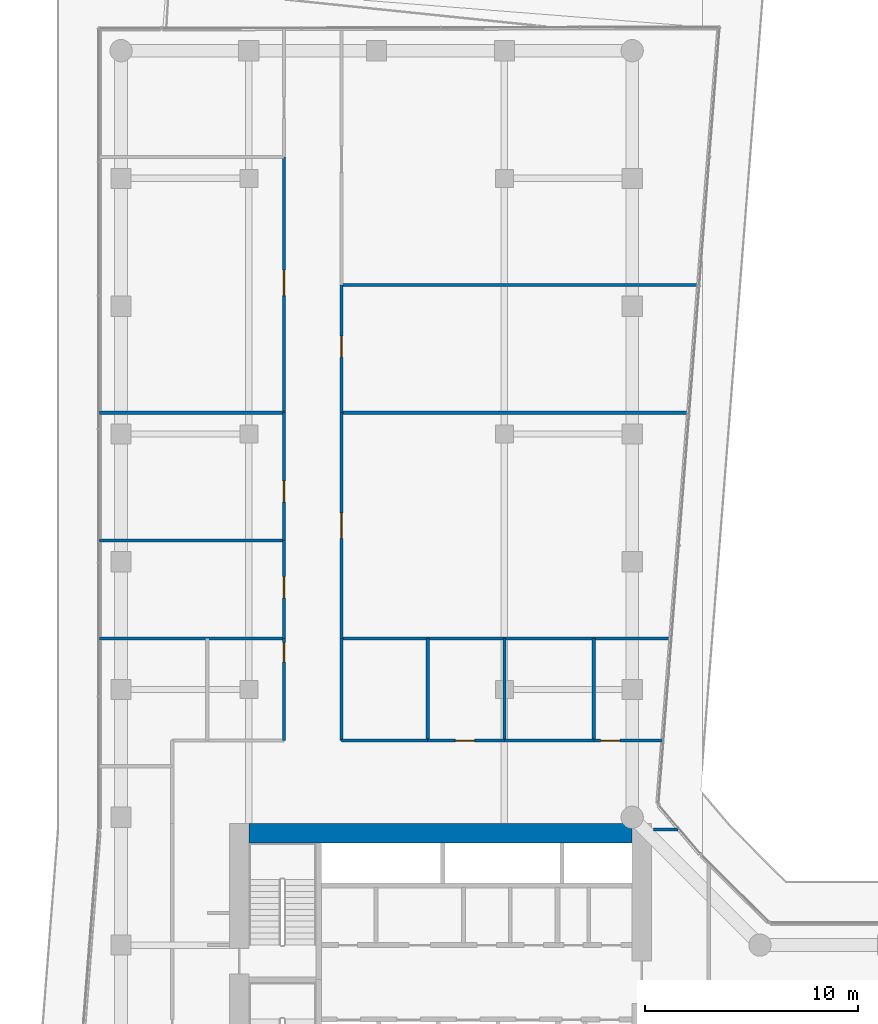
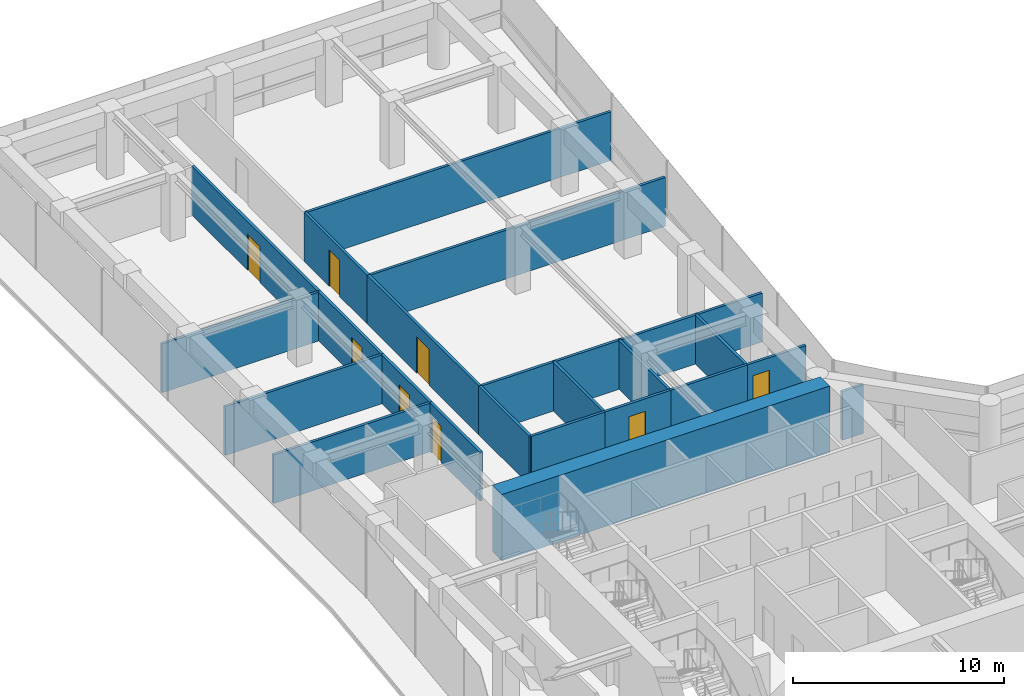
# One storey, part 25 of 29: 22 walls, 8 doors, 8 openings.
"""IFC4 building model written with IfcOpenShell, lengths in metres."""

from ifc_helpers import new_model, si_unit, direction, frame, frame_2d, origin, place, context, subcontext, project, spatial, rectangle, extrude, material, layer, layer_set, type_object, element, fill, save


model = new_model("IFC4")

# Units and contexts
model_context = context("Model", 3, precision=1e-05, world=origin(), true_north=direction((0.0, 1.0)))
body_context = subcontext(model_context, "Body", "Model", "MODEL_VIEW")
ifc_project = project(units=[si_unit("LENGTHUNIT", "METRE"), si_unit("AREAUNIT", "SQUARE_METRE"), si_unit("VOLUMEUNIT", "CUBIC_METRE"), si_unit("PLANEANGLEUNIT", "RADIAN"), si_unit("MASSUNIT", "GRAM", prefix="KILO")], contexts=[model_context])

# Site, building, storey
site_placement = place(None, origin())
site = spatial("IfcSite", under=ifc_project, at=site_placement, CompositionType="ELEMENT")
building_placement = place(site_placement, origin())
building = spatial("IfcBuilding", under=site, at=building_placement, Name="Welwitschia Terrace Campus", CompositionType="ELEMENT")
storey_placement = place(building_placement, frame((0.0, 0.0, 33.199951171875)))
storey = spatial("IfcBuildingStorey", under=building, at=storey_placement, Name="L07", CompositionType="ELEMENT", Elevation=33.199951171875)

# Walls
ifc_material_1 = material(Name="Concrete C70/85", Category="concrete")
ifc_layer_1 = layer(ifc_material_1, 0.89990234375)
ifc_layer_set_1 = layer_set([ifc_layer_1], Name="Concrete C70/85")
wall_type_1 = type_object("IfcWallType", Name="Core wall 900 Concrete C70/85", PredefinedType="SHEAR", material=ifc_layer_set_1)
wall_1_placement = place(storey_placement, frame((6.0, 25.25, 0.0), z_axis=(0.0, 0.0, 1.0), x_axis=(1.0, 0.0, 0.0)))
element("IfcWall", 1, at=wall_1_placement, inside=storey, type_object=wall_type_1, Name="Core outer wall", PredefinedType="SHEAR", context=body_context, shape_type="SweptSolid", body=[
    extrude(rectangle(XDim=18.0, YDim=0.89990234375, at=frame_2d((9.0, 0.0))), origin(), (0.0, 0.0, 1.0), 3.85009765625),
])
ifc_material_2 = material(Name="Gypsum board on steel studs", Category="steel")
ifc_layer_2 = layer(ifc_material_2, 0.14990234375)
ifc_layer_set_2 = layer_set([ifc_layer_2], Name="Gypsum board on steel studs")
wall_type_2 = type_object("IfcWallType", Name="Corridor partition 150 EI 30", PredefinedType="PARTITIONING", material=ifc_layer_set_2)
for number, where, z_axis, x_axis, name in (
    (2, (-1.010009765625, 34.39990234375, 0.0), (0.0, 0.0, 1.0), (1.0, 0.0, 0.0), "Partition"),
    (3, (-1.010009765625, 39.0, 0.0), (0.0, 0.0, 1.0), (1.0, 0.0, 0.0), "Partition"),
    (4, (-1.010009765625, 45.0, 0.0), (0.0, 0.0, 1.0), (1.0, 0.0, 0.0), "Partition"),
):
    element("IfcWall", number, at=place(storey_placement, frame(where, z_axis=z_axis, x_axis=x_axis)), inside=storey, type_object=wall_type_2, Name=name, PredefinedType="PARTITIONING", context=body_context, shape_type="SweptSolid", body=[
        extrude(rectangle(XDim=8.659912109375, YDim=0.14990234375, at=frame_2d((4.330078125, 0.0))), origin(), (0.0, 0.0, 1.0), 2.830078125),
    ])

# Wall, opening, door
wall_2_placement = place(storey_placement, frame((7.64990234375, 29.60009765625, 0.0), z_axis=(0.0, 0.0, 1.0), x_axis=(0.0, 1.0, 0.0)))
wall_2 = element("IfcWall", 5, at=wall_2_placement, inside=storey, type_object=wall_type_2, Name="Partition", PredefinedType="PARTITIONING", context=body_context, shape_type="SweptSolid", body=[
    extrude(rectangle(XDim=4.7998046875, YDim=0.14990234375, at=frame_2d((2.39990234375, 0.0))), origin(), (0.0, 0.0, 1.0), 2.830078125),
])
opening_1_placement = place(wall_2_placement, frame((3.699951171875, 0.0, 0.0)))
opening_1 = element("IfcOpeningElement", 6, at=opening_1_placement, cuts=wall_2, Name="Opening DI09", PredefinedType="OPENING", context=body_context, shape_type="SweptSolid", body=[
    extrude(rectangle(XDim=0.89990234375, YDim=2.10009765625, at=frame_2d((0.449951171875, 1.050048828125))), frame((0.0, 0.0849609375, 0.0), z_axis=(0.0, -1.0, 0.0), x_axis=(1.0, 0.0, 0.0)), (0.0, 0.0, 1.0), 0.169921875),
])
ifc_material_3 = material(Name="Timber veneered door", Category="wood")
door_type_1 = type_object("IfcDoorType", Name="Interior door DI09", OperationType="NOTDEFINED", PredefinedType="DOOR", material=ifc_material_3)
door_1_placement = place(opening_1_placement, origin())
door_1 = element("IfcDoor", 7, at=door_1_placement, inside=storey, type_object=door_type_1, Name="Door L07 169", OperationType="SINGLE_SWING_RIGHT", OverallHeight=2.10009765625, OverallWidth=0.89990234375, PredefinedType="DOOR", context=body_context, shape_type="SweptSolid", body=[
    extrude(rectangle(XDim=0.89990234375, YDim=2.10009765625, at=frame_2d((0.449951171875, 1.050048828125))), frame((0.0, 0.02490234375, 0.0), z_axis=(0.0, -1.0, 0.0), x_axis=(1.0, 0.0, 0.0)), (0.0, 0.0, 1.0), 0.050048828125),
])
fill(opening_1, door_1)

wall_3_placement = place(storey_placement, frame((7.64990234375, 34.39990234375, 0.0), z_axis=(0.0, 0.0, 1.0), x_axis=(0.0, 1.0, 0.0)))
wall_3 = element("IfcWall", 8, at=wall_3_placement, inside=storey, type_object=wall_type_2, Name="Partition", PredefinedType="PARTITIONING", context=body_context, shape_type="SweptSolid", body=[
    extrude(rectangle(XDim=4.60009765625, YDim=0.14990234375, at=frame_2d((2.300048828125, 0.0))), origin(), (0.0, 0.0, 1.0), 2.830078125),
])
opening_2_placement = place(wall_3_placement, frame((1.89990234375, 0.0, 0.0)))
opening_2 = element("IfcOpeningElement", 9, at=opening_2_placement, cuts=wall_3, Name="Opening DI10", PredefinedType="OPENING", context=body_context, shape_type="SweptSolid", body=[
    extrude(rectangle(XDim=1.0, YDim=2.10009765625, at=frame_2d((0.5, 1.050048828125))), frame((0.0, 0.0849609375, 0.0), z_axis=(0.0, -1.0, 0.0), x_axis=(1.0, 0.0, 0.0)), (0.0, 0.0, 1.0), 0.169921875),
])
ifc_material_4 = material(Name="Timber veneered door", Category="wood")
door_type_2 = type_object("IfcDoorType", Name="Interior door DI10", OperationType="NOTDEFINED", PredefinedType="DOOR", material=ifc_material_4)
door_2_placement = place(opening_2_placement, origin())
door_2 = element("IfcDoor", 10, at=door_2_placement, inside=storey, type_object=door_type_2, Name="Door L07 170", OperationType="SINGLE_SWING_LEFT", OverallHeight=2.10009765625, OverallWidth=1.0, PredefinedType="DOOR", context=body_context, shape_type="SweptSolid", body=[
    extrude(rectangle(XDim=1.0, YDim=2.10009765625, at=frame_2d((0.5, 1.050048828125))), frame((0.0, 0.02490234375, 0.0), z_axis=(0.0, -1.0, 0.0), x_axis=(1.0, 0.0, 0.0)), (0.0, 0.0, 1.0), 0.050048828125),
])
fill(opening_2, door_2)

wall_4_placement = place(storey_placement, frame((7.64990234375, 39.0, 0.0), z_axis=(0.0, 0.0, 1.0), x_axis=(0.0, 1.0, 0.0)))
wall_4 = element("IfcWall", 11, at=wall_4_placement, inside=storey, type_object=wall_type_2, Name="Partition", PredefinedType="PARTITIONING", context=body_context, shape_type="SweptSolid", body=[
    extrude(rectangle(XDim=6.0, YDim=0.14990234375, at=frame_2d((3.0, 0.0))), origin(), (0.0, 0.0, 1.0), 2.830078125),
])
opening_3_placement = place(wall_4_placement, frame((1.800048828125, 0.0, 0.0)))
opening_3 = element("IfcOpeningElement", 12, at=opening_3_placement, cuts=wall_4, Name="Opening DI10", PredefinedType="OPENING", context=body_context, shape_type="SweptSolid", body=[
    extrude(rectangle(XDim=1.0, YDim=2.10009765625, at=frame_2d((0.5, 1.050048828125))), frame((0.0, 0.0849609375, 0.0), z_axis=(0.0, -1.0, 0.0), x_axis=(1.0, 0.0, 0.0)), (0.0, 0.0, 1.0), 0.169921875),
])
door_3_placement = place(opening_3_placement, origin())
door_3 = element("IfcDoor", 13, at=door_3_placement, inside=storey, type_object=door_type_2, Name="Door L07 171", OperationType="SINGLE_SWING_RIGHT", OverallHeight=2.10009765625, OverallWidth=1.0, PredefinedType="DOOR", context=body_context, shape_type="SweptSolid", body=[
    extrude(rectangle(XDim=1.0, YDim=2.10009765625, at=frame_2d((0.5, 1.050048828125))), frame((0.0, 0.02490234375, 0.0), z_axis=(0.0, -1.0, 0.0), x_axis=(1.0, 0.0, 0.0)), (0.0, 0.0, 1.0), 0.050048828125),
])
fill(opening_3, door_3)

wall_5_placement = place(storey_placement, frame((7.64990234375, 45.0, 0.0), z_axis=(0.0, 0.0, 1.0), x_axis=(0.0, 1.0, 0.0)))
wall_5 = element("IfcWall", 14, at=wall_5_placement, inside=storey, type_object=wall_type_2, Name="Partition", PredefinedType="PARTITIONING", context=body_context, shape_type="SweptSolid", body=[
    extrude(rectangle(XDim=12.0, YDim=0.14990234375, at=frame_2d((6.0, 0.0))), origin(), (0.0, 0.0, 1.0), 2.830078125),
])
opening_4_placement = place(wall_5_placement, frame((5.5, 0.0, 0.0)))
opening_4 = element("IfcOpeningElement", 15, at=opening_4_placement, cuts=wall_5, Name="Opening DI12", PredefinedType="OPENING", context=body_context, shape_type="SweptSolid", body=[
    extrude(rectangle(XDim=1.199951171875, YDim=2.10009765625, at=frame_2d((0.60009765625, 1.050048828125))), frame((0.0, 0.0849609375, 0.0), z_axis=(0.0, -1.0, 0.0), x_axis=(1.0, 0.0, 0.0)), (0.0, 0.0, 1.0), 0.169921875),
])
ifc_material_5 = material(Name="Timber veneered door", Category="wood")
door_type_3 = type_object("IfcDoorType", Name="Interior door DI12", OperationType="NOTDEFINED", PredefinedType="DOOR", material=ifc_material_5)
door_4_placement = place(opening_4_placement, origin())
door_4 = element("IfcDoor", 16, at=door_4_placement, inside=storey, type_object=door_type_3, Name="Door L07 172", OperationType="SINGLE_SWING_LEFT", OverallHeight=2.10009765625, OverallWidth=1.199951171875, PredefinedType="DOOR", context=body_context, shape_type="SweptSolid", body=[
    extrude(rectangle(XDim=1.199951171875, YDim=2.10009765625, at=frame_2d((0.60009765625, 1.050048828125))), frame((0.0, 0.02490234375, 0.0), z_axis=(0.0, -1.0, 0.0), x_axis=(1.0, 0.0, 0.0)), (0.0, 0.0, 1.0), 0.050048828125),
])
fill(opening_4, door_4)

# Walls
wall_6_placement = place(storey_placement, frame((10.35009765625, 29.60009765625, 0.0), z_axis=(0.0, 0.0, 1.0), x_axis=(0.0, 1.0, 0.0)))
element("IfcWall", 17, at=wall_6_placement, inside=storey, type_object=wall_type_2, Name="Partition", PredefinedType="PARTITIONING", context=body_context, shape_type="SweptSolid", body=[
    extrude(rectangle(XDim=4.7998046875, YDim=0.14990234375, at=frame_2d((2.39990234375, 0.0))), origin(), (0.0, 0.0, 1.0), 2.830078125),
])
wall_7_placement = place(storey_placement, frame((10.35009765625, 29.60009765625, 0.0), z_axis=(0.0, 0.0, 1.0), x_axis=(1.0, 0.0, 0.0)))
element("IfcWall", 18, at=wall_7_placement, inside=storey, type_object=wall_type_2, Name="Partition", PredefinedType="PARTITIONING", context=body_context, shape_type="SweptSolid", body=[
    extrude(rectangle(XDim=4.0498046875, YDim=0.14990234375, at=frame_2d((2.02490234375, 0.0))), origin(), (0.0, 0.0, 1.0), 2.830078125),
])
wall_8_placement = place(storey_placement, frame((10.35009765625, 34.39990234375, 0.0), z_axis=(0.0, 0.0, 1.0), x_axis=(1.0, 0.0, 0.0)))
element("IfcWall", 19, at=wall_8_placement, inside=storey, type_object=wall_type_2, Name="Partition", PredefinedType="PARTITIONING", context=body_context, shape_type="SweptSolid", body=[
    extrude(rectangle(XDim=15.449951171875, YDim=0.14990234375, at=frame_2d((7.72509765625, 0.0))), origin(), (0.0, 0.0, 1.0), 2.830078125),
])

# Wall, opening, door
wall_9_placement = place(storey_placement, frame((10.35009765625, 45.0, 0.0), z_axis=(0.0, 0.0, 1.0), x_axis=(0.0, -1.0, 0.0)))
wall_9 = element("IfcWall", 20, at=wall_9_placement, inside=storey, type_object=wall_type_2, Name="Partition", PredefinedType="PARTITIONING", context=body_context, shape_type="SweptSolid", body=[
    extrude(rectangle(XDim=10.60009765625, YDim=0.14990234375, at=frame_2d((5.300048828125, 0.0))), origin(), (0.0, 0.0, 1.0), 2.830078125),
])
opening_5_placement = place(wall_9_placement, frame((4.699951171875, 0.0, 0.0)))
opening_5 = element("IfcOpeningElement", 21, at=opening_5_placement, cuts=wall_9, Name="Opening DI12", PredefinedType="OPENING", context=body_context, shape_type="SweptSolid", body=[
    extrude(rectangle(XDim=1.199951171875, YDim=2.10009765625, at=frame_2d((0.60009765625, 1.050048828125))), frame((0.0, 0.0849609375, 0.0), z_axis=(0.0, -1.0, 0.0), x_axis=(1.0, 0.0, 0.0)), (0.0, 0.0, 1.0), 0.169921875),
])
door_5_placement = place(opening_5_placement, origin())
door_5 = element("IfcDoor", 22, at=door_5_placement, inside=storey, type_object=door_type_3, Name="Door L07 174", OperationType="SINGLE_SWING_LEFT", OverallHeight=2.10009765625, OverallWidth=1.199951171875, PredefinedType="DOOR", context=body_context, shape_type="SweptSolid", body=[
    extrude(rectangle(XDim=1.199951171875, YDim=2.10009765625, at=frame_2d((0.60009765625, 1.050048828125))), frame((0.0, 0.02490234375, 0.0), z_axis=(0.0, -1.0, 0.0), x_axis=(1.0, 0.0, 0.0)), (0.0, 0.0, 1.0), 0.050048828125),
])
fill(opening_5, door_5)

# Wall
wall_10_placement = place(storey_placement, frame((10.35009765625, 45.0, 0.0), z_axis=(0.0, 0.0, 1.0), x_axis=(1.0, 0.0, 0.0)))
element("IfcWall", 23, at=wall_10_placement, inside=storey, type_object=wall_type_2, Name="Partition", PredefinedType="PARTITIONING", context=body_context, shape_type="SweptSolid", body=[
    extrude(rectangle(XDim=16.255126953125, YDim=0.14990234375, at=frame_2d((8.12744140625, 0.0))), origin(), (0.0, 0.0, 1.0), 2.830078125),
])

# Wall, opening, door
wall_11_placement = place(storey_placement, frame((10.35009765625, 51.0, 0.0), z_axis=(0.0, 0.0, 1.0), x_axis=(0.0, -1.0, 0.0)))
wall_11 = element("IfcWall", 24, at=wall_11_placement, inside=storey, type_object=wall_type_2, Name="Partition", PredefinedType="PARTITIONING", context=body_context, shape_type="SweptSolid", body=[
    extrude(rectangle(XDim=6.0, YDim=0.14990234375, at=frame_2d((3.0, 0.0))), origin(), (0.0, 0.0, 1.0), 2.830078125),
])
opening_6_placement = place(wall_11_placement, frame((2.39990234375, 0.0, 0.0)))
opening_6 = element("IfcOpeningElement", 25, at=opening_6_placement, cuts=wall_11, Name="Opening DI10", PredefinedType="OPENING", context=body_context, shape_type="SweptSolid", body=[
    extrude(rectangle(XDim=1.0, YDim=2.10009765625, at=frame_2d((0.5, 1.050048828125))), frame((0.0, 0.0849609375, 0.0), z_axis=(0.0, -1.0, 0.0), x_axis=(1.0, 0.0, 0.0)), (0.0, 0.0, 1.0), 0.169921875),
])
door_6_placement = place(opening_6_placement, origin())
door_6 = element("IfcDoor", 26, at=door_6_placement, inside=storey, type_object=door_type_2, Name="Door L07 175", OperationType="SINGLE_SWING_RIGHT", OverallHeight=2.10009765625, OverallWidth=1.0, PredefinedType="DOOR", context=body_context, shape_type="SweptSolid", body=[
    extrude(rectangle(XDim=1.0, YDim=2.10009765625, at=frame_2d((0.5, 1.050048828125))), frame((0.0, 0.02490234375, 0.0), z_axis=(0.0, -1.0, 0.0), x_axis=(1.0, 0.0, 0.0)), (0.0, 0.0, 1.0), 0.050048828125),
])
fill(opening_6, door_6)

# Walls
wall_12_placement = place(storey_placement, frame((10.35009765625, 51.0, 0.0), z_axis=(0.0, 0.0, 1.0), x_axis=(1.0, 0.0, 0.0)))
element("IfcWall", 27, at=wall_12_placement, inside=storey, type_object=wall_type_2, Name="Partition", PredefinedType="PARTITIONING", context=body_context, shape_type="SweptSolid", body=[
    extrude(rectangle(XDim=16.734130859375, YDim=0.14990234375, at=frame_2d((8.3671875, 0.0))), origin(), (0.0, 0.0, 1.0), 2.830078125),
])
wall_13_placement = place(storey_placement, frame((14.39990234375, 29.60009765625, 0.0), z_axis=(0.0, 0.0, 1.0), x_axis=(0.0, 1.0, 0.0)))
element("IfcWall", 28, at=wall_13_placement, inside=storey, type_object=wall_type_2, Name="Partition", PredefinedType="PARTITIONING", context=body_context, shape_type="SweptSolid", body=[
    extrude(rectangle(XDim=4.7998046875, YDim=0.14990234375, at=frame_2d((2.39990234375, 0.0))), origin(), (0.0, 0.0, 1.0), 2.830078125),
])

# Wall, opening, door
wall_14_placement = place(storey_placement, frame((14.39990234375, 29.60009765625, 0.0), z_axis=(0.0, 0.0, 1.0), x_axis=(1.0, 0.0, 0.0)))
wall_14 = element("IfcWall", 29, at=wall_14_placement, inside=storey, type_object=wall_type_2, Name="Partition", PredefinedType="PARTITIONING", context=body_context, shape_type="SweptSolid", body=[
    extrude(rectangle(XDim=3.60009765625, YDim=0.14990234375, at=frame_2d((1.800048828125, 0.0))), origin(), (0.0, 0.0, 1.0), 2.830078125),
])
opening_7_placement = place(wall_14_placement, frame((1.300048828125, 0.0, 0.0)))
opening_7 = element("IfcOpeningElement", 30, at=opening_7_placement, cuts=wall_14, Name="Opening DI09", PredefinedType="OPENING", context=body_context, shape_type="SweptSolid", body=[
    extrude(rectangle(XDim=0.89990234375, YDim=2.10009765625, at=frame_2d((0.449951171875, 1.050048828125))), frame((0.0, 0.0849609375, 0.0), z_axis=(0.0, -1.0, 0.0), x_axis=(1.0, 0.0, 0.0)), (0.0, 0.0, 1.0), 0.169921875),
])
door_7_placement = place(opening_7_placement, origin())
door_7 = element("IfcDoor", 31, at=door_7_placement, inside=storey, type_object=door_type_1, Name="Door L07 177", OperationType="SINGLE_SWING_RIGHT", OverallHeight=2.10009765625, OverallWidth=0.89990234375, PredefinedType="DOOR", context=body_context, shape_type="SweptSolid", body=[
    extrude(rectangle(XDim=0.89990234375, YDim=2.10009765625, at=frame_2d((0.449951171875, 1.050048828125))), frame((0.0, 0.02490234375, 0.0), z_axis=(0.0, -1.0, 0.0), x_axis=(1.0, 0.0, 0.0)), (0.0, 0.0, 1.0), 0.050048828125),
])
fill(opening_7, door_7)

# Walls
wall_15_placement = place(storey_placement, frame((18.0, 29.60009765625, 0.0), z_axis=(0.0, 0.0, 1.0), x_axis=(0.0, 1.0, 0.0)))
element("IfcWall", 32, at=wall_15_placement, inside=storey, type_object=wall_type_2, Name="Partition", PredefinedType="PARTITIONING", context=body_context, shape_type="SweptSolid", body=[
    extrude(rectangle(XDim=4.7998046875, YDim=0.14990234375, at=frame_2d((2.39990234375, 0.0))), origin(), (0.0, 0.0, 1.0), 2.830078125),
])
wall_16_placement = place(storey_placement, frame((18.0, 29.60009765625, 0.0), z_axis=(0.0, 0.0, 1.0), x_axis=(1.0, 0.0, 0.0)))
element("IfcWall", 33, at=wall_16_placement, inside=storey, type_object=wall_type_2, Name="Partition", PredefinedType="PARTITIONING", context=body_context, shape_type="SweptSolid", body=[
    extrude(rectangle(XDim=4.199951171875, YDim=0.14990234375, at=frame_2d((2.10009765625, 0.0))), origin(), (0.0, 0.0, 1.0), 2.830078125),
])
wall_17_placement = place(storey_placement, frame((22.199951171875, 29.60009765625, 0.0), z_axis=(0.0, 0.0, 1.0), x_axis=(0.0, 1.0, 0.0)))
element("IfcWall", 34, at=wall_17_placement, inside=storey, type_object=wall_type_2, Name="Partition", PredefinedType="PARTITIONING", context=body_context, shape_type="SweptSolid", body=[
    extrude(rectangle(XDim=4.7998046875, YDim=0.14990234375, at=frame_2d((2.39990234375, 0.0))), origin(), (0.0, 0.0, 1.0), 2.830078125),
])

# Wall, opening, door
wall_18_placement = place(storey_placement, frame((22.199951171875, 29.60009765625, 0.0), z_axis=(0.0, 0.0, 1.0), x_axis=(1.0, 0.0, 0.0)))
wall_18 = element("IfcWall", 35, at=wall_18_placement, inside=storey, type_object=wall_type_2, Name="Partition", PredefinedType="PARTITIONING", context=body_context, shape_type="SweptSolid", body=[
    extrude(rectangle(XDim=3.219970703125, YDim=0.14990234375, at=frame_2d((1.60986328125, 0.0))), origin(), (0.0, 0.0, 1.0), 2.830078125),
])
opening_8_placement = place(wall_18_placement, frame((0.320068359375, 0.0, 0.0)))
opening_8 = element("IfcOpeningElement", 36, at=opening_8_placement, cuts=wall_18, Name="Opening DI09", PredefinedType="OPENING", context=body_context, shape_type="SweptSolid", body=[
    extrude(rectangle(XDim=0.89990234375, YDim=2.10009765625, at=frame_2d((0.449951171875, 1.050048828125))), frame((0.0, 0.0849609375, 0.0), z_axis=(0.0, -1.0, 0.0), x_axis=(1.0, 0.0, 0.0)), (0.0, 0.0, 1.0), 0.169921875),
])
door_8_placement = place(opening_8_placement, origin())
door_8 = element("IfcDoor", 37, at=door_8_placement, inside=storey, type_object=door_type_1, Name="Door L07 178", OperationType="SINGLE_SWING_LEFT", OverallHeight=2.10009765625, OverallWidth=0.89990234375, PredefinedType="DOOR", context=body_context, shape_type="SweptSolid", body=[
    extrude(rectangle(XDim=0.89990234375, YDim=2.10009765625, at=frame_2d((0.449951171875, 1.050048828125))), frame((0.0, 0.02490234375, 0.0), z_axis=(0.0, -1.0, 0.0), x_axis=(1.0, 0.0, 0.0)), (0.0, 0.0, 1.0), 0.050048828125),
])
fill(opening_8, door_8)

# Wall
wall_19_placement = place(storey_placement, frame((25.0, 25.429931640625, 0.0), z_axis=(0.0, 0.0, 1.0), x_axis=(1.0, 0.0, 0.0)))
element("IfcWall", 38, at=wall_19_placement, inside=storey, type_object=wall_type_2, Name="Partition", PredefinedType="PARTITIONING", context=body_context, shape_type="SweptSolid", body=[
    extrude(rectangle(XDim=1.158447265625, YDim=0.14990234375, at=frame_2d((0.5791015625, 0.0))), origin(), (0.0, 0.0, 1.0), 2.830078125),
])

save(model, "model.ifc")
